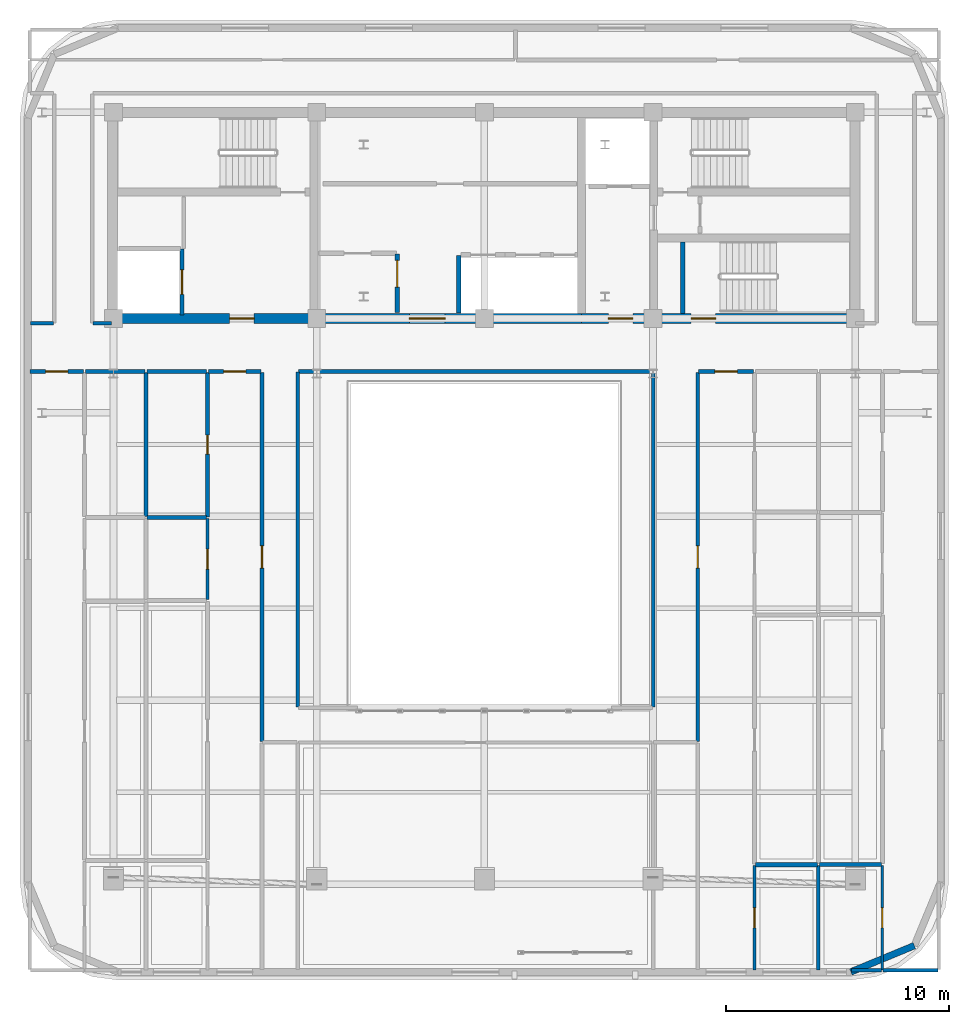
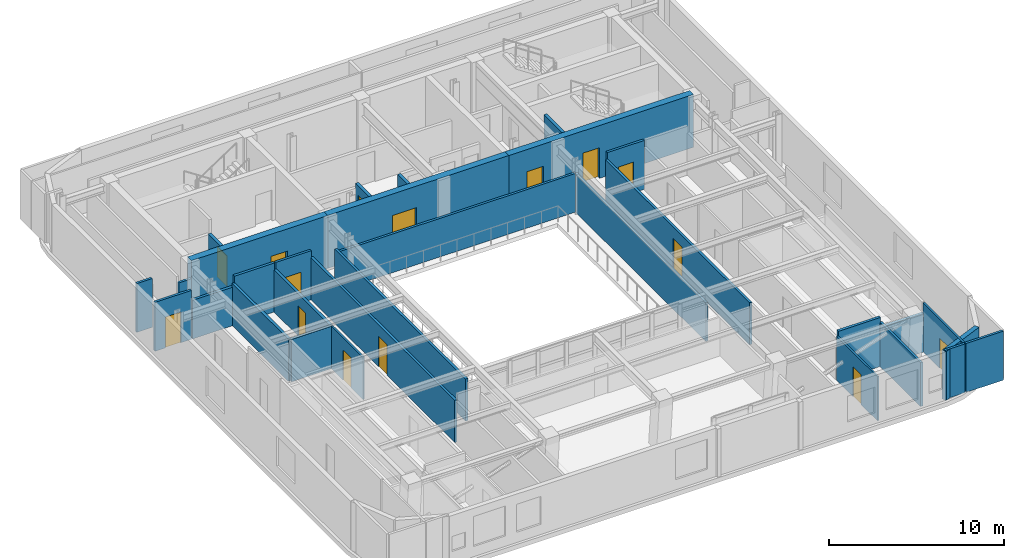
# One storey, part 8 of 14: 31 walls, 15 doors, 15 openings.
"""IFC4 building model written with IfcOpenShell, lengths in metres."""

from ifc_helpers import new_model, si_unit, direction, frame, frame_2d, origin, place, context, subcontext, project, spatial, rectangle, extrude, material, layer, layer_set, type_object, element, fill, save


model = new_model("IFC4")

# Units and contexts
model_context = context("Model", 3, precision=1e-05, world=origin(), true_north=direction((0.0, 1.0)))
body_context = subcontext(model_context, "Body", "Model", "MODEL_VIEW")
ifc_project = project(units=[si_unit("LENGTHUNIT", "METRE"), si_unit("AREAUNIT", "SQUARE_METRE"), si_unit("VOLUMEUNIT", "CUBIC_METRE"), si_unit("PLANEANGLEUNIT", "RADIAN"), si_unit("MASSUNIT", "GRAM", prefix="KILO")], contexts=[model_context])

# Site, building, storey
site_placement = place(None, origin())
site = spatial("IfcSite", under=ifc_project, at=site_placement, CompositionType="ELEMENT")
building_placement = place(site_placement, origin())
building = spatial("IfcBuilding", under=site, at=building_placement, Name="Zarnavel Station Tower", CompositionType="ELEMENT")
storey_placement = place(building_placement, frame((0.0, 0.0, 258.39990234375)))
storey = spatial("IfcBuildingStorey", under=building, at=storey_placement, Name="L70", CompositionType="ELEMENT", Elevation=258.39990234375)

# Wall, opening, door
ifc_material_1 = material(Name="Concrete C50/60", Category="concrete")
ifc_layer_1 = layer(ifc_material_1, 0.449951171875)
ifc_layer_set_1 = layer_set([ifc_layer_1], Name="CW_450")
wall_type_1 = type_object("IfcWallType", Name="CW_450", PredefinedType="SHEAR", material=ifc_layer_set_1)
wall_1_placement = place(storey_placement, frame((21.179931640625, 27.820068359375, 0.0), z_axis=(0.0, 0.0, 1.0), x_axis=(-1.0, 0.0, 0.0)))
wall_1 = element("IfcWall", 1, at=wall_1_placement, inside=storey, type_object=wall_type_1, Name="L70 Rear Core Shear Wall S-W", PredefinedType="SHEAR", context=body_context, shape_type="SweptSolid", body=[
    extrude(rectangle(XDim=9.030029296875, YDim=0.449951171875, at=frame_2d((4.51513671875, 0.0))), origin(), (0.0, 0.0, 1.0), 3.7001953125),
])
opening_1_placement = place(wall_1_placement, frame((2.679931640625, 0.0, 0.0)))
opening_1 = element("IfcOpeningElement", 2, at=opening_1_placement, cuts=wall_1, Name="Opening FD01", PredefinedType="OPENING", context=body_context, shape_type="SweptSolid", body=[
    extrude(rectangle(XDim=1.10009765625, YDim=2.14990234375, at=frame_2d((0.550048828125, 1.074951171875))), frame((0.0, 0.23486328125, 0.0), z_axis=(0.0, -1.0, 0.0), x_axis=(1.0, 0.0, 0.0)), (0.0, 0.0, 1.0), 0.469970703125),
])
ifc_material_2 = material(Name="Painted Galvanised Steel and Hardwood Leaf", Category="steel")
door_type_1 = type_object("IfcDoorType", Name="ID_STAIR_1100", OperationType="NOTDEFINED", PredefinedType="DOOR", material=ifc_material_2)
door_1_placement = place(opening_1_placement, origin())
door_1 = element("IfcDoor", 3, at=door_1_placement, inside=storey, type_object=door_type_1, Name="L70 West Firefighting Lobby Door", OperationType="SINGLE_SWING_RIGHT", OverallHeight=2.14990234375, OverallWidth=1.10009765625, PredefinedType="DOOR", context=body_context, shape_type="SweptSolid", body=[
    extrude(rectangle(XDim=1.10009765625, YDim=2.14990234375, at=frame_2d((0.550048828125, 1.074951171875))), frame((0.0, 0.02490234375, 0.0), z_axis=(0.0, -1.0, 0.0), x_axis=(1.0, 0.0, 0.0)), (0.0, 0.0, 1.0), 0.050048828125),
])
fill(opening_1, door_1)

wall_2_placement = place(storey_placement, frame((33.14990234375, 27.820068359375, 0.0), z_axis=(0.0, 0.0, 1.0), x_axis=(-1.0, 0.0, 0.0)))
wall_2 = element("IfcWall", 4, at=wall_2_placement, inside=storey, type_object=wall_type_1, Name="L70 Rear Core Shear Wall S-M", PredefinedType="SHEAR", context=body_context, shape_type="SweptSolid", body=[
    extrude(rectangle(XDim=11.969970703125, YDim=0.449951171875, at=frame_2d((5.98486328125, 0.0))), origin(), (0.0, 0.0, 1.0), 3.7001953125),
])
opening_2_placement = place(wall_2_placement, frame((6.10009765625, 0.0, 0.0)))
opening_2 = element("IfcOpeningElement", 5, at=opening_2_placement, cuts=wall_2, Name="Opening ID03", PredefinedType="OPENING", context=body_context, shape_type="SweptSolid", body=[
    extrude(rectangle(XDim=1.60009765625, YDim=2.199951171875, at=frame_2d((0.800048828125, 1.10009765625))), frame((0.0, 0.23486328125, 0.0), z_axis=(0.0, -1.0, 0.0), x_axis=(1.0, 0.0, 0.0)), (0.0, 0.0, 1.0), 0.469970703125),
])
ifc_material_3 = material(Name="Painted Galvanised Steel and Hardwood Leaf", Category="steel")
door_type_2 = type_object("IfcDoorType", Name="ID_PUBLIC_1600", OperationType="DOUBLE_DOOR_SINGLE_SWING", PredefinedType="DOOR", material=ifc_material_3)
door_2_placement = place(opening_2_placement, origin())
door_2 = element("IfcDoor", 6, at=door_2_placement, inside=storey, type_object=door_type_2, Name="L70 Passenger Lift Lobby Double Door", OperationType="SINGLE_SWING_LEFT", OverallHeight=2.199951171875, OverallWidth=1.60009765625, PredefinedType="DOOR", context=body_context, shape_type="SweptSolid", body=[
    extrude(rectangle(XDim=1.60009765625, YDim=2.199951171875, at=frame_2d((0.800048828125, 1.10009765625))), frame((0.0, 0.02490234375, 0.0), z_axis=(0.0, -1.0, 0.0), x_axis=(1.0, 0.0, 0.0)), (0.0, 0.0, 1.0), 0.050048828125),
])
fill(opening_2, door_2)

# Wall, openings, doors
wall_3_placement = place(storey_placement, frame((45.3798828125, 27.820068359375, 0.0), z_axis=(0.0, 0.0, 1.0), x_axis=(-1.0, 0.0, 0.0)))
wall_3 = element("IfcWall", 7, at=wall_3_placement, inside=storey, type_object=wall_type_1, Name="L70 Rear Core Shear Wall S-E", PredefinedType="SHEAR", context=body_context, shape_type="SweptSolid", body=[
    extrude(rectangle(XDim=12.22998046875, YDim=0.449951171875, at=frame_2d((6.114990234375, 0.0))), origin(), (0.0, 0.0, 1.0), 3.7001953125),
])
opening_3_placement = place(wall_3_placement, frame((9.929931640625, 0.0, 0.0)))
opening_3 = element("IfcOpeningElement", 8, at=opening_3_placement, cuts=wall_3, Name="Opening FD01", PredefinedType="OPENING", context=body_context, shape_type="SweptSolid", body=[
    extrude(rectangle(XDim=1.10009765625, YDim=2.14990234375, at=frame_2d((0.550048828125, 1.074951171875))), frame((0.0, 0.23486328125, 0.0), z_axis=(0.0, -1.0, 0.0), x_axis=(1.0, 0.0, 0.0)), (0.0, 0.0, 1.0), 0.469970703125),
])
opening_4_placement = place(wall_3_placement, frame((6.22998046875, 0.0, 0.0)))
opening_4 = element("IfcOpeningElement", 9, at=opening_4_placement, cuts=wall_3, Name="Opening FD01", PredefinedType="OPENING", context=body_context, shape_type="SweptSolid", body=[
    extrude(rectangle(XDim=1.10009765625, YDim=2.14990234375, at=frame_2d((0.550048828125, 1.074951171875))), frame((0.0, 0.23486328125, 0.0), z_axis=(0.0, -1.0, 0.0), x_axis=(1.0, 0.0, 0.0)), (0.0, 0.0, 1.0), 0.469970703125),
])
door_3_placement = place(opening_3_placement, origin())
door_3 = element("IfcDoor", 10, at=door_3_placement, inside=storey, type_object=door_type_1, Name="L70 East Firefighting Lobby Door", OperationType="SINGLE_SWING_LEFT", OverallHeight=2.14990234375, OverallWidth=1.10009765625, PredefinedType="DOOR", context=body_context, shape_type="SweptSolid", body=[
    extrude(rectangle(XDim=1.10009765625, YDim=2.14990234375, at=frame_2d((0.550048828125, 1.074951171875))), frame((0.0, 0.02490234375, 0.0), z_axis=(0.0, -1.0, 0.0), x_axis=(1.0, 0.0, 0.0)), (0.0, 0.0, 1.0), 0.050048828125),
])
fill(opening_3, door_3)
door_4_placement = place(opening_4_placement, origin())
door_4 = element("IfcDoor", 11, at=door_4_placement, inside=storey, type_object=door_type_1, Name="L70 Stair ST3 Corridor Fire Door", OperationType="SINGLE_SWING_RIGHT", OverallHeight=2.14990234375, OverallWidth=1.10009765625, PredefinedType="DOOR", context=body_context, shape_type="SweptSolid", body=[
    extrude(rectangle(XDim=1.10009765625, YDim=2.14990234375, at=frame_2d((0.550048828125, 1.074951171875))), frame((0.0, 0.02490234375, 0.0), z_axis=(0.0, -1.0, 0.0), x_axis=(1.0, 0.0, 0.0)), (0.0, 0.0, 1.0), 0.050048828125),
])
fill(opening_4, door_4)

# Wall
ifc_material_4 = material(Name="Precast concrete C45/55 (Dark Basalt Finish)", Category="masonry")
ifc_layer_2 = layer(ifc_material_4, 0.300048828125)
ifc_layer_set_2 = layer_set([ifc_layer_2], Name="EW_BASALT_300")
wall_type_2 = type_object("IfcWallType", Name="EW_BASALT_300", PredefinedType="SOLIDWALL", material=ifc_layer_set_2)
wall_4_placement = place(storey_placement, frame((48.04248046875, -0.24267578125, 0.0), z_axis=(0.0, 0.0, 1.0), x_axis=(-0.92389884758, -0.382636798336, 0.0)))
element("IfcWall", 12, at=wall_4_placement, inside=storey, type_object=wall_type_2, Name="L70 Exterior Basalt Masonry Frame Wall 01", PredefinedType="SOLIDWALL", context=body_context, shape_type="SweptSolid", body=[
    extrude(rectangle(XDim=3.07666015625, YDim=0.300048828125, at=frame_2d((1.538330078125, 0.0))), origin(), (0.0, 0.0, 1.0), 3.420166015625),
])

# Wall, opening, door
ifc_material_5 = material(Name="Gypsum Twin-Stud Acoustic Fire Partition", Category="concrete")
ifc_layer_3 = layer(ifc_material_5, 0.159912109375)
ifc_layer_set_3 = layer_set([ifc_layer_3], Name="PT_DEMISE_160")
wall_type_3 = type_object("IfcWallType", Name="PT_DEMISE_160", PredefinedType="PARTITIONING", material=ifc_layer_set_3)
wall_5_placement = place(storey_placement, frame((8.4599609375, 25.449951171875, 0.0), z_axis=(0.0, 0.0, 1.0), x_axis=(1.0, 0.0, 0.0)))
wall_5 = element("IfcWall", 13, at=wall_5_placement, inside=storey, type_object=wall_type_3, Name="L70 Partition COR-S-UW1LV", PredefinedType="PARTITIONING", context=body_context, shape_type="SweptSolid", body=[
    extrude(rectangle(XDim=2.404052734375, YDim=0.159912109375, at=frame_2d((1.2021484375, 0.0))), origin(), (0.0, 0.0, 1.0), 3.420166015625),
])
opening_5_placement = place(wall_5_placement, frame((0.701904296875, 0.0, 0.0)))
opening_5 = element("IfcOpeningElement", 14, at=opening_5_placement, cuts=wall_5, Name="Opening FD02", PredefinedType="OPENING", context=body_context, shape_type="SweptSolid", body=[
    extrude(rectangle(XDim=1.0, YDim=2.14990234375, at=frame_2d((0.5, 1.074951171875))), frame((0.0, 0.08984375, 0.0), z_axis=(0.0, -1.0, 0.0), x_axis=(1.0, 0.0, 0.0)), (0.0, 0.0, 1.0), 0.179931640625),
])
ifc_material_6 = material(Name="Painted Galvanised Steel and Hardwood Leaf", Category="steel")
door_type_3 = type_object("IfcDoorType", Name="ID_ENTRY_1000", OperationType="NOTDEFINED", PredefinedType="DOOR", material=ifc_material_6)
door_5_placement = place(opening_5_placement, origin())
door_5 = element("IfcDoor", 15, at=door_5_placement, inside=storey, type_object=door_type_3, Name="L70 Door COR-S-UW1LV", OperationType="SINGLE_SWING_LEFT", OverallHeight=2.14990234375, OverallWidth=1.0, PredefinedType="DOOR", context=body_context, shape_type="SweptSolid", body=[
    extrude(rectangle(XDim=1.0, YDim=2.14990234375, at=frame_2d((0.5, 1.074951171875))), frame((0.0, 0.02490234375, 0.0), z_axis=(0.0, -1.0, 0.0), x_axis=(1.0, 0.0, 0.0)), (0.0, 0.0, 1.0), 0.050048828125),
])
fill(opening_5, door_5)

wall_6_placement = place(storey_placement, frame((16.450927734375, 25.449951171875, 0.0), z_axis=(0.0, 0.0, 1.0), x_axis=(1.0, 0.0, 0.0)))
wall_6 = element("IfcWall", 16, at=wall_6_placement, inside=storey, type_object=wall_type_3, Name="L70 Partition COR-S-UW2LV", PredefinedType="PARTITIONING", context=body_context, shape_type="SweptSolid", body=[
    extrude(rectangle(XDim=2.359130859375, YDim=0.159912109375, at=frame_2d((1.1796875, 0.0))), origin(), (0.0, 0.0, 1.0), 3.420166015625),
])
opening_6_placement = place(wall_6_placement, frame((0.679443359375, 0.0, 0.0)))
opening_6 = element("IfcOpeningElement", 17, at=opening_6_placement, cuts=wall_6, Name="Opening FD02", PredefinedType="OPENING", context=body_context, shape_type="SweptSolid", body=[
    extrude(rectangle(XDim=1.0, YDim=2.14990234375, at=frame_2d((0.5, 1.074951171875))), frame((0.0, 0.08984375, 0.0), z_axis=(0.0, -1.0, 0.0), x_axis=(1.0, 0.0, 0.0)), (0.0, 0.0, 1.0), 0.179931640625),
])
door_6_placement = place(opening_6_placement, origin())
door_6 = element("IfcDoor", 18, at=door_6_placement, inside=storey, type_object=door_type_3, Name="L70 Door COR-S-UW2LV", OperationType="SINGLE_SWING_RIGHT", OverallHeight=2.14990234375, OverallWidth=1.0, PredefinedType="DOOR", context=body_context, shape_type="SweptSolid", body=[
    extrude(rectangle(XDim=1.0, YDim=2.14990234375, at=frame_2d((0.5, 1.074951171875))), frame((0.0, 0.02490234375, 0.0), z_axis=(0.0, -1.0, 0.0), x_axis=(1.0, 0.0, 0.0)), (0.0, 0.0, 1.0), 0.050048828125),
])
fill(opening_6, door_6)

wall_7_placement = place(storey_placement, frame((38.389892578125, 25.449951171875, 0.0), z_axis=(0.0, 0.0, 1.0), x_axis=(1.0, 0.0, 0.0)))
wall_7 = element("IfcWall", 19, at=wall_7_placement, inside=storey, type_object=wall_type_3, Name="L70 Partition COR-S-UE1LV", PredefinedType="PARTITIONING", context=body_context, shape_type="SweptSolid", body=[
    extrude(rectangle(XDim=2.4580078125, YDim=0.159912109375, at=frame_2d((1.22900390625, 0.0))), origin(), (0.0, 0.0, 1.0), 3.420166015625),
])
opening_7_placement = place(wall_7_placement, frame((0.72900390625, 0.0, 0.0)))
opening_7 = element("IfcOpeningElement", 20, at=opening_7_placement, cuts=wall_7, Name="Opening FD02", PredefinedType="OPENING", context=body_context, shape_type="SweptSolid", body=[
    extrude(rectangle(XDim=1.0, YDim=2.14990234375, at=frame_2d((0.5, 1.074951171875))), frame((0.0, 0.08984375, 0.0), z_axis=(0.0, -1.0, 0.0), x_axis=(1.0, 0.0, 0.0)), (0.0, 0.0, 1.0), 0.179931640625),
])
door_7_placement = place(opening_7_placement, origin())
door_7 = element("IfcDoor", 21, at=door_7_placement, inside=storey, type_object=door_type_3, Name="L70 Door COR-S-UE1LV", OperationType="SINGLE_SWING_LEFT", OverallHeight=2.14990234375, OverallWidth=1.0, PredefinedType="DOOR", context=body_context, shape_type="SweptSolid", body=[
    extrude(rectangle(XDim=1.0, YDim=2.14990234375, at=frame_2d((0.5, 1.074951171875))), frame((0.0, 0.02490234375, 0.0), z_axis=(0.0, -1.0, 0.0), x_axis=(1.0, 0.0, 0.0)), (0.0, 0.0, 1.0), 0.050048828125),
])
fill(opening_7, door_7)

wall_8_placement = place(storey_placement, frame((18.85009765625, 8.889892578125, 0.0), z_axis=(0.0, 0.0, 1.0), x_axis=(0.0, 1.0, 0.0)))
wall_8 = element("IfcWall", 22, at=wall_8_placement, inside=storey, type_object=wall_type_3, Name="L70 Partition COR-AW-UW2LV", PredefinedType="PARTITIONING", context=body_context, shape_type="SweptSolid", body=[
    extrude(rectangle(XDim=16.52001953125, YDim=0.159912109375, at=frame_2d((8.260009765625, 0.0))), origin(), (0.0, 0.0, 1.0), 2.9501953125),
])
opening_8_placement = place(wall_8_placement, frame((7.760009765625, 0.0, 0.0)))
opening_8 = element("IfcOpeningElement", 23, at=opening_8_placement, cuts=wall_8, Name="Opening FD02", PredefinedType="OPENING", context=body_context, shape_type="SweptSolid", body=[
    extrude(rectangle(XDim=1.0, YDim=2.14990234375, at=frame_2d((0.5, 1.074951171875))), frame((0.0, 0.08984375, 0.0), z_axis=(0.0, -1.0, 0.0), x_axis=(1.0, 0.0, 0.0)), (0.0, 0.0, 1.0), 0.179931640625),
])
door_8_placement = place(opening_8_placement, origin())
door_8 = element("IfcDoor", 24, at=door_8_placement, inside=storey, type_object=door_type_3, Name="L70 Door COR-AW-UW2LV", OperationType="SINGLE_SWING_LEFT", OverallHeight=2.14990234375, OverallWidth=1.0, PredefinedType="DOOR", context=body_context, shape_type="SweptSolid", body=[
    extrude(rectangle(XDim=1.0, YDim=2.14990234375, at=frame_2d((0.5, 1.074951171875))), frame((0.0, 0.02490234375, 0.0), z_axis=(0.0, -1.0, 0.0), x_axis=(1.0, 0.0, 0.0)), (0.0, 0.0, 1.0), 0.050048828125),
])
fill(opening_8, door_8)

wall_9_placement = place(storey_placement, frame((38.35009765625, 8.889892578125, 0.0), z_axis=(0.0, 0.0, 1.0), x_axis=(0.0, 1.0, 0.0)))
wall_9 = element("IfcWall", 25, at=wall_9_placement, inside=storey, type_object=wall_type_3, Name="L70 Partition COR-AE-UE1LV", PredefinedType="PARTITIONING", context=body_context, shape_type="SweptSolid", body=[
    extrude(rectangle(XDim=16.52001953125, YDim=0.159912109375, at=frame_2d((8.260009765625, 0.0))), origin(), (0.0, 0.0, 1.0), 2.9501953125),
])
opening_9_placement = place(wall_9_placement, frame((7.760009765625, 0.0, 0.0)))
opening_9 = element("IfcOpeningElement", 26, at=opening_9_placement, cuts=wall_9, Name="Opening FD02", PredefinedType="OPENING", context=body_context, shape_type="SweptSolid", body=[
    extrude(rectangle(XDim=1.0, YDim=2.14990234375, at=frame_2d((0.5, 1.074951171875))), frame((0.0, 0.08984375, 0.0), z_axis=(0.0, -1.0, 0.0), x_axis=(1.0, 0.0, 0.0)), (0.0, 0.0, 1.0), 0.179931640625),
])
door_9_placement = place(opening_9_placement, origin())
door_9 = element("IfcDoor", 27, at=door_9_placement, inside=storey, type_object=door_type_3, Name="L70 Door COR-AE-UE1LV", OperationType="SINGLE_SWING_RIGHT", OverallHeight=2.14990234375, OverallWidth=1.0, PredefinedType="DOOR", context=body_context, shape_type="SweptSolid", body=[
    extrude(rectangle(XDim=1.0, YDim=2.14990234375, at=frame_2d((0.5, 1.074951171875))), frame((0.0, 0.02490234375, 0.0), z_axis=(0.0, -1.0, 0.0), x_axis=(1.0, 0.0, 0.0)), (0.0, 0.0, 1.0), 0.050048828125),
])
fill(opening_9, door_9)

# Walls
wall_10_placement = place(storey_placement, frame((43.75, -1.340087890625, 0.0), z_axis=(0.0, 0.0, 1.0), x_axis=(0.0, 1.0, 0.0)))
element("IfcWall", 28, at=wall_10_placement, inside=storey, type_object=wall_type_3, Name="L70 Partition UE1B1-UE2B1", PredefinedType="PARTITIONING", context=body_context, shape_type="SweptSolid", body=[
    extrude(rectangle(XDim=4.677001953125, YDim=0.159912109375, at=frame_2d((2.33837890625, 0.0))), origin(), (0.0, 0.0, 1.0), 3.080078125),
])
wall_11_placement = place(storey_placement, frame((20.47998046875, 25.449951171875, 0.0), z_axis=(0.0, 0.0, 1.0), x_axis=(1.0, 0.0, 0.0)))
element("IfcWall", 29, at=wall_11_placement, inside=storey, type_object=wall_type_3, Name="L70 Enclosure Wall COR-S", PredefinedType="PARTITIONING", context=body_context, shape_type="SweptSolid", body=[
    extrude(rectangle(XDim=15.840087890625, YDim=0.159912109375, at=frame_2d((7.919921875, 0.0))), origin(), (0.0, 0.0, 1.0), 2.7001953125),
])
wall_12_placement = place(storey_placement, frame((8.489990234375, 27.60009765625, 0.0), z_axis=(0.0, 0.0, 1.0), x_axis=(1.0, 0.0, 0.0)))
element("IfcWall", 30, at=wall_12_placement, inside=storey, type_object=wall_type_3, Name="L70 Enclosure Wall COR-S", PredefinedType="PARTITIONING", context=body_context, shape_type="SweptSolid", body=[
    extrude(rectangle(XDim=1.030029296875, YDim=0.159912109375, at=frame_2d((0.51513671875, 0.0))), origin(), (0.0, 0.0, 1.0), 3.420166015625),
])
wall_13_placement = place(storey_placement, frame((11.280029296875, 27.60009765625, 0.0), z_axis=(0.0, 0.0, 1.0), x_axis=(1.0, 0.0, 0.0)))
element("IfcWall", 31, at=wall_13_placement, inside=storey, type_object=wall_type_3, Name="L70 Enclosure Wall COR-S", PredefinedType="PARTITIONING", context=body_context, shape_type="SweptSolid", body=[
    extrude(rectangle(XDim=0.840087890625, YDim=0.159912109375, at=frame_2d((0.419921875, 0.0))), origin(), (0.0, 0.0, 1.0), 2.489990234375),
])
wall_14_placement = place(storey_placement, frame((20.449951171875, 10.429931640625, 0.0), z_axis=(0.0, 0.0, 1.0), x_axis=(0.0, 1.0, 0.0)))
element("IfcWall", 32, at=wall_14_placement, inside=storey, type_object=wall_type_3, Name="L70 Enclosure Wall COR-AW", PredefinedType="PARTITIONING", context=body_context, shape_type="SweptSolid", body=[
    extrude(rectangle(XDim=14.989990234375, YDim=0.159912109375, at=frame_2d((7.4951171875, 0.0))), origin(), (0.0, 0.0, 1.0), 2.9501953125),
])
wall_15_placement = place(storey_placement, frame((36.35009765625, 10.429931640625, 0.0), z_axis=(0.0, 0.0, 1.0), x_axis=(0.0, 1.0, 0.0)))
element("IfcWall", 33, at=wall_15_placement, inside=storey, type_object=wall_type_3, Name="L70 Enclosure Wall COR-AE", PredefinedType="PARTITIONING", context=body_context, shape_type="SweptSolid", body=[
    extrude(rectangle(XDim=14.989990234375, YDim=0.159912109375, at=frame_2d((7.4951171875, 0.0))), origin(), (0.0, 0.0, 1.0), 2.7001953125),
])
wall_16_placement = place(storey_placement, frame((46.636962890625, -1.340087890625, 0.0), z_axis=(0.0, 0.0, 1.0), x_axis=(1.0, 0.0, 0.0)))
element("IfcWall", 34, at=wall_16_placement, inside=storey, type_object=wall_type_3, Name="L70 Enclosure Wall UE2LV", PredefinedType="PARTITIONING", context=body_context, shape_type="SweptSolid", body=[
    extrude(rectangle(XDim=2.47314453125, YDim=0.159912109375, at=frame_2d((1.236572265625, 0.0))), origin(), (0.0, 0.0, 1.0), 3.420166015625),
])
wall_17_placement = place(storey_placement, frame((45.22998046875, -1.340087890625, 0.0), z_axis=(0.0, 0.0, 1.0), x_axis=(1.0, 0.0, 0.0)))
element("IfcWall", 35, at=wall_17_placement, inside=storey, type_object=wall_type_3, Name="L70 Enclosure Wall UE2B1", PredefinedType="PARTITIONING", context=body_context, shape_type="SweptSolid", body=[
    extrude(rectangle(XDim=1.346923828125, YDim=0.159912109375, at=frame_2d((0.67333984375, 0.0))), origin(), (0.0, 0.0, 1.0), 3.420166015625),
])

# Wall, opening, door
ifc_material_7 = material(Name="Gypsum Metal-Stud Interior Partition", Category="concrete")
ifc_layer_4 = layer(ifc_material_7, 0.1201171875)
ifc_layer_set_4 = layer_set([ifc_layer_4], Name="PT_ROOM_120")
wall_type_4 = type_object("IfcWallType", Name="PT_ROOM_120", PredefinedType="PARTITIONING", material=ifc_layer_set_4)
wall_18_placement = place(storey_placement, frame((16.410888671875, 15.239013671875, 0.0), z_axis=(0.0, 0.0, 1.0), x_axis=(0.0, 1.0, 0.0)))
wall_18 = element("IfcWall", 36, at=wall_18_placement, inside=storey, type_object=wall_type_4, Name="L70 Partition UW2LV-UW2UT", PredefinedType="PARTITIONING", context=body_context, shape_type="SweptSolid", body=[
    extrude(rectangle(XDim=3.6279296875, YDim=0.1201171875, at=frame_2d((1.81396484375, 0.0))), origin(), (0.0, 0.0, 1.0), 2.9501953125),
])
opening_10_placement = place(wall_18_placement, frame((1.364013671875, 0.0, 0.0)))
opening_10 = element("IfcOpeningElement", 37, at=opening_10_placement, cuts=wall_18, Name="Opening ID01", PredefinedType="OPENING", context=body_context, shape_type="SweptSolid", body=[
    extrude(rectangle(XDim=0.89990234375, YDim=2.10009765625, at=frame_2d((0.449951171875, 1.050048828125))), frame((0.0, 0.070068359375, 0.0), z_axis=(0.0, -1.0, 0.0), x_axis=(1.0, 0.0, 0.0)), (0.0, 0.0, 1.0), 0.14013671875),
])
ifc_material_8 = material(Name="Painted Galvanised Steel and Hardwood Leaf", Category="steel")
door_type_4 = type_object("IfcDoorType", Name="ID_ROOM_900", OperationType="NOTDEFINED", PredefinedType="DOOR", material=ifc_material_8)
door_10_placement = place(opening_10_placement, origin())
door_10 = element("IfcDoor", 38, at=door_10_placement, inside=storey, type_object=door_type_4, Name="L70 Door UW2LV-UW2UT", OperationType="SINGLE_SWING_RIGHT", OverallHeight=2.10009765625, OverallWidth=0.89990234375, PredefinedType="DOOR", context=body_context, shape_type="SweptSolid", body=[
    extrude(rectangle(XDim=0.89990234375, YDim=2.10009765625, at=frame_2d((0.449951171875, 1.050048828125))), frame((0.0, 0.02490234375, 0.0), z_axis=(0.0, -1.0, 0.0), x_axis=(1.0, 0.0, 0.0)), (0.0, 0.0, 1.0), 0.050048828125),
])
fill(opening_10, door_10)

wall_19_placement = place(storey_placement, frame((40.887939453125, -1.340087890625, 0.0), z_axis=(0.0, 0.0, 1.0), x_axis=(0.0, 1.0, 0.0)))
wall_19 = element("IfcWall", 39, at=wall_19_placement, inside=storey, type_object=wall_type_4, Name="L70 Partition UE1LV-UE1B1", PredefinedType="PARTITIONING", context=body_context, shape_type="SweptSolid", body=[
    extrude(rectangle(XDim=4.677001953125, YDim=0.1201171875, at=frame_2d((2.33837890625, 0.0))), origin(), (0.0, 0.0, 1.0), 3.080078125),
])
opening_11_placement = place(wall_19_placement, frame((1.888427734375, 0.0, 0.0)))
opening_11 = element("IfcOpeningElement", 40, at=opening_11_placement, cuts=wall_19, Name="Opening ID01", PredefinedType="OPENING", context=body_context, shape_type="SweptSolid", body=[
    extrude(rectangle(XDim=0.89990234375, YDim=2.10009765625, at=frame_2d((0.449951171875, 1.050048828125))), frame((0.0, 0.070068359375, 0.0), z_axis=(0.0, -1.0, 0.0), x_axis=(1.0, 0.0, 0.0)), (0.0, 0.0, 1.0), 0.14013671875),
])
door_11_placement = place(opening_11_placement, origin())
door_11 = element("IfcDoor", 41, at=door_11_placement, inside=storey, type_object=door_type_4, Name="L70 Door UE1LV-UE1B1", OperationType="SINGLE_SWING_RIGHT", OverallHeight=2.10009765625, OverallWidth=0.89990234375, PredefinedType="DOOR", context=body_context, shape_type="SweptSolid", body=[
    extrude(rectangle(XDim=0.89990234375, YDim=2.10009765625, at=frame_2d((0.449951171875, 1.050048828125))), frame((0.0, 0.02490234375, 0.0), z_axis=(0.0, -1.0, 0.0), x_axis=(1.0, 0.0, 0.0)), (0.0, 0.0, 1.0), 0.050048828125),
])
fill(opening_11, door_11)

wall_20_placement = place(storey_placement, frame((46.60693359375, -1.340087890625, 0.0), z_axis=(0.0, 0.0, 1.0), x_axis=(0.0, 1.0, 0.0)))
wall_20 = element("IfcWall", 42, at=wall_20_placement, inside=storey, type_object=wall_type_4, Name="L70 Partition UE2LV-UE2B1", PredefinedType="PARTITIONING", context=body_context, shape_type="SweptSolid", body=[
    extrude(rectangle(XDim=4.68505859375, YDim=0.1201171875, at=frame_2d((2.342529296875, 0.0))), origin(), (0.0, 0.0, 1.0), 3.420166015625),
])
opening_12_placement = place(wall_20_placement, frame((1.892578125, 0.0, 0.0)))
opening_12 = element("IfcOpeningElement", 43, at=opening_12_placement, cuts=wall_20, Name="Opening ID01", PredefinedType="OPENING", context=body_context, shape_type="SweptSolid", body=[
    extrude(rectangle(XDim=0.89990234375, YDim=2.10009765625, at=frame_2d((0.449951171875, 1.050048828125))), frame((0.0, 0.070068359375, 0.0), z_axis=(0.0, -1.0, 0.0), x_axis=(1.0, 0.0, 0.0)), (0.0, 0.0, 1.0), 0.14013671875),
])
door_12_placement = place(opening_12_placement, origin())
door_12 = element("IfcDoor", 44, at=door_12_placement, inside=storey, type_object=door_type_4, Name="L70 Door UE2LV-UE2B1", OperationType="SINGLE_SWING_RIGHT", OverallHeight=2.10009765625, OverallWidth=0.89990234375, PredefinedType="DOOR", context=body_context, shape_type="SweptSolid", body=[
    extrude(rectangle(XDim=0.89990234375, YDim=2.10009765625, at=frame_2d((0.449951171875, 1.050048828125))), frame((0.0, 0.02490234375, 0.0), z_axis=(0.0, -1.0, 0.0), x_axis=(1.0, 0.0, 0.0)), (0.0, 0.0, 1.0), 0.050048828125),
])
fill(opening_12, door_12)

ifc_material_9 = material(Name="Precast concrete C45/55 (Fire Shaft Blockwork)", Category="masonry")
ifc_layer_5 = layer(ifc_material_9, 0.199951171875)
ifc_layer_set_5 = layer_set([ifc_layer_5], Name="PT_SHAFT_200")
wall_type_5 = type_object("IfcWallType", Name="PT_SHAFT_200", PredefinedType="PARTITIONING", material=ifc_layer_set_5)
wall_21_placement = place(storey_placement, frame((15.27001953125, 27.969970703125, 0.0), z_axis=(0.0, 0.0, 1.0), x_axis=(0.0, 1.0, 0.0)))
wall_21 = element("IfcWall", 45, at=wall_21_placement, inside=storey, type_object=wall_type_5, Name="L70 Lift FFL-01 Shaft Front Wall", PredefinedType="PARTITIONING", context=body_context, shape_type="SweptSolid", body=[
    extrude(rectangle(XDim=2.9599609375, YDim=0.199951171875, at=frame_2d((1.47998046875, 0.0))), origin(), (0.0, 0.0, 1.0), 2.489990234375),
])
opening_13_placement = place(wall_21_placement, frame((0.929931640625, 0.0, 0.0)))
opening_13 = element("IfcOpeningElement", 46, at=opening_13_placement, cuts=wall_21, Name="Opening LD01", PredefinedType="OPENING", context=body_context, shape_type="SweptSolid", body=[
    extrude(rectangle(XDim=1.10009765625, YDim=2.14990234375, at=frame_2d((0.550048828125, 1.074951171875))), frame((0.0, 0.10986328125, 0.0), z_axis=(0.0, -1.0, 0.0), x_axis=(1.0, 0.0, 0.0)), (0.0, 0.0, 1.0), 0.219970703125),
])
ifc_material_10 = material(Name="Painted Galvanised Steel and Hardwood Leaf", Category="steel")
door_type_5 = type_object("IfcDoorType", Name="LD_FF_1100", OperationType="DOUBLE_DOOR_SLIDING", PredefinedType="DOOR", material=ifc_material_10)
door_13_placement = place(opening_13_placement, origin())
door_13 = element("IfcDoor", 47, at=door_13_placement, inside=storey, type_object=door_type_5, Name="L70 Lift FFL-01 Sliding Landing Door", OperationType="DOUBLE_DOOR_SLIDING", OverallHeight=2.14990234375, OverallWidth=1.10009765625, PredefinedType="DOOR", context=body_context, shape_type="SweptSolid", body=[
    extrude(rectangle(XDim=1.10009765625, YDim=2.14990234375, at=frame_2d((0.550048828125, 1.074951171875))), frame((0.0, 0.02490234375, 0.0), z_axis=(0.0, -1.0, 0.0), x_axis=(1.0, 0.0, 0.0)), (0.0, 0.0, 1.0), 0.050048828125),
])
fill(opening_13, door_13)

# Walls
wall_22_placement = place(storey_placement, frame((27.64990234375, 28.070068359375, 0.0), z_axis=(0.0, 0.0, 1.0), x_axis=(0.0, 1.0, 0.0)))
element("IfcWall", 48, at=wall_22_placement, inside=storey, type_object=wall_type_5, Name="L70 High-Rise Lift Bank West Shaft Wall", PredefinedType="PARTITIONING", context=body_context, shape_type="SweptSolid", body=[
    extrude(rectangle(XDim=2.579833984375, YDim=0.199951171875, at=frame_2d((1.2900390625, 0.0))), origin(), (0.0, 0.0, 1.0), 2.489990234375),
])
wall_23_placement = place(storey_placement, frame((37.679931640625, 28.044921875, 0.0), z_axis=(0.0, 0.0, 1.0), x_axis=(0.0, 1.0, 0.0)))
element("IfcWall", 49, at=wall_23_placement, inside=storey, type_object=wall_type_5, Name="L70 Stair ST3 West Shaft Wall", PredefinedType="PARTITIONING", context=body_context, shape_type="SweptSolid", body=[
    extrude(rectangle(XDim=3.205078125, YDim=0.199951171875, at=frame_2d((1.6025390625, 0.0))), origin(), (0.0, 0.0, 1.0), 2.800048828125),
])

# Wall, opening, door
wall_24_placement = place(storey_placement, frame((24.89990234375, 28.090087890625, 0.0), z_axis=(0.0, 0.0, 1.0), x_axis=(0.0, 1.0, 0.0)))
wall_24 = element("IfcWall", 50, at=wall_24_placement, inside=storey, type_object=wall_type_5, Name="L70 Partition LLOBS-CS1", PredefinedType="PARTITIONING", context=body_context, shape_type="SweptSolid", body=[
    extrude(rectangle(XDim=2.619873046875, YDim=0.199951171875, at=frame_2d((1.31005859375, 0.0))), origin(), (0.0, 0.0, 1.0), 2.800048828125),
])
opening_14_placement = place(wall_24_placement, frame((1.137451171875, 0.0, 0.0)))
opening_14 = element("IfcOpeningElement", 51, at=opening_14_placement, cuts=wall_24, Name="Opening FD03", PredefinedType="OPENING", context=body_context, shape_type="SweptSolid", body=[
    extrude(rectangle(XDim=1.199951171875, YDim=2.14990234375, at=frame_2d((0.60009765625, 1.074951171875))), frame((0.0, 0.10986328125, 0.0), z_axis=(0.0, -1.0, 0.0), x_axis=(1.0, 0.0, 0.0)), (0.0, 0.0, 1.0), 0.219970703125),
])
ifc_material_11 = material(Name="Painted Galvanised Steel and Hardwood Leaf", Category="steel")
door_type_6 = type_object("IfcDoorType", Name="ID_PLANT_1200", OperationType="NOTDEFINED", PredefinedType="DOOR", material=ifc_material_11)
door_14_placement = place(opening_14_placement, origin())
door_14 = element("IfcDoor", 52, at=door_14_placement, inside=storey, type_object=door_type_6, Name="L70 Door LLOBS-CS1", OperationType="SINGLE_SWING_RIGHT", OverallHeight=2.14990234375, OverallWidth=1.199951171875, PredefinedType="DOOR", context=body_context, shape_type="SweptSolid", body=[
    extrude(rectangle(XDim=1.199951171875, YDim=2.14990234375, at=frame_2d((0.60009765625, 1.074951171875))), frame((0.0, 0.02490234375, 0.0), z_axis=(0.0, -1.0, 0.0), x_axis=(1.0, 0.0, 0.0)), (0.0, 0.0, 1.0), 0.050048828125),
])
fill(opening_14, door_14)

# Walls
ifc_material_12 = material(Name="Moisture-Resistant Plumbing Chase Wall", Category="concrete")
ifc_layer_6 = layer(ifc_material_12, 0.179931640625)
ifc_layer_set_6 = layer_set([ifc_layer_6], Name="PW_PLUMB_180")
wall_type_6 = type_object("IfcWallType", Name="PW_PLUMB_180", PredefinedType="PLUMBINGWALL", material=ifc_layer_set_6)
wall_25_placement = place(storey_placement, frame((10.944091796875, 25.449951171875, 0.0), z_axis=(0.0, 0.0, 1.0), x_axis=(1.0, 0.0, 0.0)))
element("IfcWall", 53, at=wall_25_placement, inside=storey, type_object=wall_type_6, Name="L70 Partition COR-S-UW1BA", PredefinedType="PLUMBINGWALL", context=body_context, shape_type="SweptSolid", body=[
    extrude(rectangle(XDim=2.676025390625, YDim=0.179931640625, at=frame_2d((1.337890625, 0.0))), origin(), (0.0, 0.0, 1.0), 2.7001953125),
])
wall_26_placement = place(storey_placement, frame((13.699951171875, 25.449951171875, 0.0), z_axis=(0.0, 0.0, 1.0), x_axis=(1.0, 0.0, 0.0)))
element("IfcWall", 54, at=wall_26_placement, inside=storey, type_object=wall_type_6, Name="L70 Partition COR-S-UW2BA", PredefinedType="PLUMBINGWALL", context=body_context, shape_type="SweptSolid", body=[
    extrude(rectangle(XDim=2.671142578125, YDim=0.179931640625, at=frame_2d((1.33544921875, 0.0))), origin(), (0.0, 0.0, 1.0), 3.420166015625),
])
wall_27_placement = place(storey_placement, frame((13.659912109375, 18.958984375, 0.0), z_axis=(0.0, 0.0, 1.0), x_axis=(0.0, 1.0, 0.0)))
element("IfcWall", 55, at=wall_27_placement, inside=storey, type_object=wall_type_6, Name="L70 Partition UW1BA-UW2BA", PredefinedType="PLUMBINGWALL", context=body_context, shape_type="SweptSolid", body=[
    extrude(rectangle(XDim=6.450927734375, YDim=0.179931640625, at=frame_2d((3.2255859375, 0.0))), origin(), (0.0, 0.0, 1.0), 2.9501953125),
])

# Wall, opening, door
wall_28_placement = place(storey_placement, frame((16.410888671875, 18.947021484375, 0.0), z_axis=(0.0, 0.0, 1.0), x_axis=(0.0, 1.0, 0.0)))
wall_28 = element("IfcWall", 56, at=wall_28_placement, inside=storey, type_object=wall_type_6, Name="L70 Partition UW2LV-UW2BA", PredefinedType="PLUMBINGWALL", context=body_context, shape_type="SweptSolid", body=[
    extrude(rectangle(XDim=6.462890625, YDim=0.179931640625, at=frame_2d((3.2314453125, 0.0))), origin(), (0.0, 0.0, 1.0), 2.9501953125),
])
opening_15_placement = place(wall_28_placement, frame((2.806396484375, 0.0, 0.0)))
opening_15 = element("IfcOpeningElement", 57, at=opening_15_placement, cuts=wall_28, Name="Opening ID02", PredefinedType="OPENING", context=body_context, shape_type="SweptSolid", body=[
    extrude(rectangle(XDim=0.85009765625, YDim=2.10009765625, at=frame_2d((0.425048828125, 1.050048828125))), frame((0.0, 0.099853515625, 0.0), z_axis=(0.0, -1.0, 0.0), x_axis=(1.0, 0.0, 0.0)), (0.0, 0.0, 1.0), 0.199951171875),
])
ifc_material_13 = material(Name="Painted Galvanised Steel and Hardwood Leaf", Category="steel")
door_type_7 = type_object("IfcDoorType", Name="ID_BATH_850", OperationType="NOTDEFINED", PredefinedType="DOOR", material=ifc_material_13)
door_15_placement = place(opening_15_placement, origin())
door_15 = element("IfcDoor", 58, at=door_15_placement, inside=storey, type_object=door_type_7, Name="L70 Door UW2LV-UW2BA", OperationType="SINGLE_SWING_LEFT", OverallHeight=2.10009765625, OverallWidth=0.85009765625, PredefinedType="DOOR", context=body_context, shape_type="SweptSolid", body=[
    extrude(rectangle(XDim=0.85009765625, YDim=2.10009765625, at=frame_2d((0.425048828125, 1.050048828125))), frame((0.0, 0.02490234375, 0.0), z_axis=(0.0, -1.0, 0.0), x_axis=(1.0, 0.0, 0.0)), (0.0, 0.0, 1.0), 0.050048828125),
])
fill(opening_15, door_15)

# Walls
wall_29_placement = place(storey_placement, frame((13.699951171875, 18.906982421875, 0.0), z_axis=(0.0, 0.0, 1.0), x_axis=(1.0, 0.0, 0.0)))
element("IfcWall", 59, at=wall_29_placement, inside=storey, type_object=wall_type_6, Name="L70 Partition UW2UT-UW2BA", PredefinedType="PLUMBINGWALL", context=body_context, shape_type="SweptSolid", body=[
    extrude(rectangle(XDim=2.671142578125, YDim=0.179931640625, at=frame_2d((1.33544921875, 0.0))), origin(), (0.0, 0.0, 1.0), 2.960205078125),
])
wall_30_placement = place(storey_placement, frame((40.927978515625, 3.376953125, 0.0), z_axis=(0.0, 0.0, 1.0), x_axis=(1.0, 0.0, 0.0)))
element("IfcWall", 60, at=wall_30_placement, inside=storey, type_object=wall_type_6, Name="L70 Partition UE1B1-UE1KT", PredefinedType="PLUMBINGWALL", context=body_context, shape_type="SweptSolid", body=[
    extrude(rectangle(XDim=2.781982421875, YDim=0.179931640625, at=frame_2d((1.39111328125, 0.0))), origin(), (0.0, 0.0, 1.0), 3.420166015625),
])
wall_31_placement = place(storey_placement, frame((43.7900390625, 3.385009765625, 0.0), z_axis=(0.0, 0.0, 1.0), x_axis=(1.0, 0.0, 0.0)))
element("IfcWall", 61, at=wall_31_placement, inside=storey, type_object=wall_type_6, Name="L70 Partition UE2B1-UE2KT", PredefinedType="PLUMBINGWALL", context=body_context, shape_type="SweptSolid", body=[
    extrude(rectangle(XDim=2.77685546875, YDim=0.179931640625, at=frame_2d((1.388427734375, 0.0))), origin(), (0.0, 0.0, 1.0), 2.7001953125),
])

save(model, "model.ifc")
